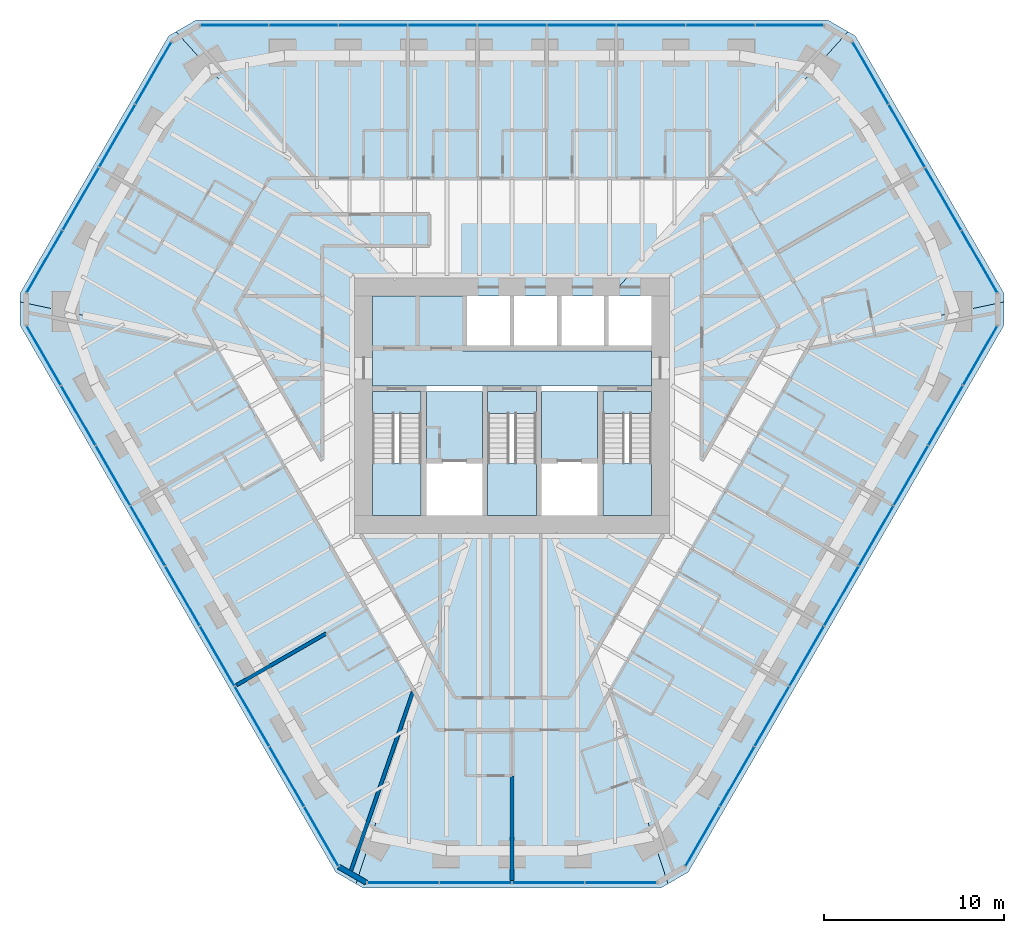
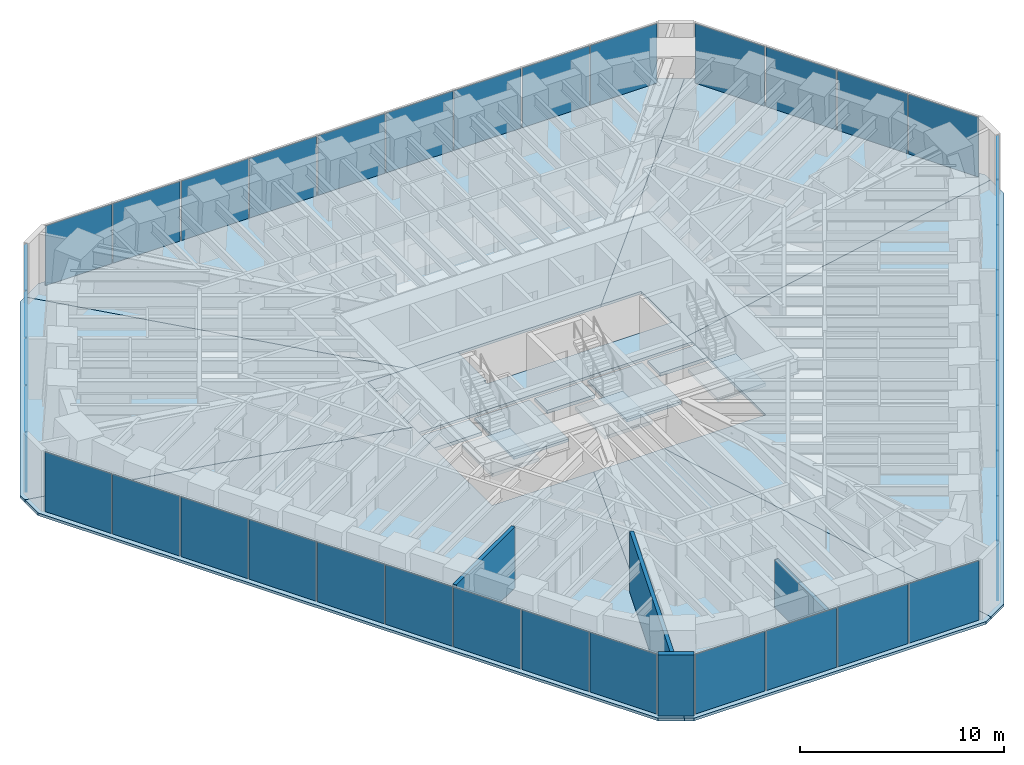
# One storey, part 10 of 17: 39 plates, 15 slabs, 4 walls, 9 elements without a shape of their own.
"""IFC4 building model written with IfcOpenShell, lengths in metres."""

from ifc_helpers import new_model, si_unit, direction, frame, frame_2d, origin, origin_2d, place, context, subcontext, project, spatial, polyline, rectangle, outline, extrude, material, layer, layer_set, type_object, element, aggregate, save


model = new_model("IFC4")

# Units and contexts
model_context = context("Model", 3, precision=1e-05, world=origin(), true_north=direction((0.0, 1.0)))
body_context = subcontext(model_context, "Body", "Model", "MODEL_VIEW")
ifc_project = project(units=[si_unit("LENGTHUNIT", "METRE"), si_unit("AREAUNIT", "SQUARE_METRE"), si_unit("VOLUMEUNIT", "CUBIC_METRE"), si_unit("PLANEANGLEUNIT", "RADIAN"), si_unit("MASSUNIT", "GRAM", prefix="KILO")], contexts=[model_context])

# Site, building, storey
site_placement = place(None, origin())
site = spatial("IfcSite", under=ifc_project, at=site_placement, CompositionType="ELEMENT")
building_placement = place(site_placement, origin())
building = spatial("IfcBuilding", under=site, at=building_placement, Name="Sandreach Pilgrim Tower", CompositionType="ELEMENT")
storey_placement = place(building_placement, frame((0.0, 0.0, 236.39990234375)))
storey = spatial("IfcBuildingStorey", under=building, at=storey_placement, Name="L59", CompositionType="ELEMENT", Elevation=236.39990234375)

# Curtain wall, plates
ifc_material_1 = material(Name="Aluminium framed curtain wall", Category="aluminium")
curtain_wall_type = type_object("IfcCurtainWallType", Name="Upper hotel tower curtain wall", PredefinedType="NOTDEFINED", material=ifc_material_1)
curtain_wall_1_placement = place(storey_placement, origin())
curtain_wall_1 = element("IfcCurtainWall", 1, at=curtain_wall_1_placement, inside=storey, type_object=curtain_wall_type, Name="CW-3 L59 N", PredefinedType="NOTDEFINED")
ifc_material_2 = material(Name="Insulating glass unit 12.76 laminated + 20 argon + 12.76 laminated", Category="glass")
ifc_layer_1 = layer(ifc_material_2, 0.0458984375)
ifc_layer_set_1 = layer_set([ifc_layer_1], Name="CW-3 panel")
plate_type = type_object("IfcPlateType", Name="CW-3 panel", PredefinedType="CURTAIN_PANEL", material=ifc_layer_set_1)
plate_1_placement = place(storey_placement, frame((-15.44140625, 21.16015625, 0.0), z_axis=(0.0, 0.0, 1.0), x_axis=(1.0, 0.0, 0.0)))
plate_1 = element("IfcPlate", 2, at=plate_1_placement, type_object=plate_type, Name="CW-3 panel 1", PredefinedType="CURTAIN_PANEL", context=body_context, shape_type="SweptSolid", body=[
    extrude(rectangle(XDim=3.766845703125, YDim=0.0458984375, at=origin_2d()), origin(), (0.0, 0.0, 1.0), 3.570068359375),
])
plate_2_placement = place(storey_placement, frame((-11.59326171875, 21.16015625, 0.0), z_axis=(0.0, 0.0, 1.0), x_axis=(1.0, 0.0, 0.0)))
plate_2 = element("IfcPlate", 3, at=plate_2_placement, type_object=plate_type, Name="CW-3 panel 2", PredefinedType="CURTAIN_PANEL", context=body_context, shape_type="SweptSolid", body=[
    extrude(rectangle(XDim=3.79931640625, YDim=0.0458984375, at=origin_2d()), origin(), (0.0, 0.0, 1.0), 3.570068359375),
])
plate_3_placement = place(storey_placement, frame((-7.728759765625, 21.16015625, 0.0), z_axis=(0.0, 0.0, 1.0), x_axis=(1.0, 0.0, 0.0)))
plate_3 = element("IfcPlate", 4, at=plate_3_placement, type_object=plate_type, Name="CW-3 panel 3", PredefinedType="CURTAIN_PANEL", context=body_context, shape_type="SweptSolid", body=[
    extrude(rectangle(XDim=3.79931640625, YDim=0.0458984375, at=origin_2d()), origin(), (0.0, 0.0, 1.0), 3.570068359375),
])
plate_4_placement = place(storey_placement, frame((-3.864501953125, 21.16015625, 0.0), z_axis=(0.0, 0.0, 1.0), x_axis=(1.0, 0.0, 0.0)))
plate_4 = element("IfcPlate", 5, at=plate_4_placement, type_object=plate_type, Name="CW-3 panel 4", PredefinedType="CURTAIN_PANEL", context=body_context, shape_type="SweptSolid", body=[
    extrude(rectangle(XDim=3.79931640625, YDim=0.0458984375, at=origin_2d()), origin(), (0.0, 0.0, 1.0), 3.570068359375),
])
plate_5_placement = place(storey_placement, frame((0.0, 21.16015625, 0.0), z_axis=(0.0, 0.0, 1.0), x_axis=(1.0, 0.0, 0.0)))
plate_5 = element("IfcPlate", 6, at=plate_5_placement, type_object=plate_type, Name="CW-3 panel 5", PredefinedType="CURTAIN_PANEL", context=body_context, shape_type="SweptSolid", body=[
    extrude(rectangle(XDim=3.79931640625, YDim=0.0458984375, at=origin_2d()), origin(), (0.0, 0.0, 1.0), 3.570068359375),
])
plate_6_placement = place(storey_placement, frame((3.864501953125, 21.16015625, 0.0), z_axis=(0.0, 0.0, 1.0), x_axis=(1.0, 0.0, 0.0)))
plate_6 = element("IfcPlate", 7, at=plate_6_placement, type_object=plate_type, Name="CW-3 panel 6", PredefinedType="CURTAIN_PANEL", context=body_context, shape_type="SweptSolid", body=[
    extrude(rectangle(XDim=3.79931640625, YDim=0.0458984375, at=origin_2d()), origin(), (0.0, 0.0, 1.0), 3.570068359375),
])
plate_7_placement = place(storey_placement, frame((7.728759765625, 21.16015625, 0.0), z_axis=(0.0, 0.0, 1.0), x_axis=(1.0, 0.0, 0.0)))
plate_7 = element("IfcPlate", 8, at=plate_7_placement, type_object=plate_type, Name="CW-3 panel 7", PredefinedType="CURTAIN_PANEL", context=body_context, shape_type="SweptSolid", body=[
    extrude(rectangle(XDim=3.79931640625, YDim=0.0458984375, at=origin_2d()), origin(), (0.0, 0.0, 1.0), 3.570068359375),
])
plate_8_placement = place(storey_placement, frame((11.59326171875, 21.16015625, 0.0), z_axis=(0.0, 0.0, 1.0), x_axis=(1.0, 0.0, 0.0)))
plate_8 = element("IfcPlate", 9, at=plate_8_placement, type_object=plate_type, Name="CW-3 panel 8", PredefinedType="CURTAIN_PANEL", context=body_context, shape_type="SweptSolid", body=[
    extrude(rectangle(XDim=3.79931640625, YDim=0.0458984375, at=origin_2d()), origin(), (0.0, 0.0, 1.0), 3.570068359375),
])
plate_9_placement = place(storey_placement, frame((15.44140625, 21.16015625, 0.0), z_axis=(0.0, 0.0, 1.0), x_axis=(1.0, 0.0, 0.0)))
plate_9 = element("IfcPlate", 10, at=plate_9_placement, type_object=plate_type, Name="CW-3 panel 9", PredefinedType="CURTAIN_PANEL", context=body_context, shape_type="SweptSolid", body=[
    extrude(rectangle(XDim=3.766845703125, YDim=0.0458984375, at=origin_2d()), origin(), (0.0, 0.0, 1.0), 3.570068359375),
])
aggregate(curtain_wall_1, [plate_1, plate_2, plate_3, plate_4, plate_5, plate_6, plate_7, plate_8, plate_9])

curtain_wall_2_placement = place(storey_placement, origin())
curtain_wall_2 = element("IfcCurtainWall", 11, at=curtain_wall_2_placement, inside=storey, type_object=curtain_wall_type, Name="CW-3 L59 NE", PredefinedType="NOTDEFINED")
plate_10_placement = place(storey_placement, frame((19.943115234375, 18.5078125, 0.0), z_axis=(0.0, 0.0, 1.0), x_axis=(0.5, -0.866025403784, 0.0)))
plate_10 = element("IfcPlate", 12, at=plate_10_placement, type_object=plate_type, Name="CW-3 panel 1", PredefinedType="CURTAIN_PANEL", context=body_context, shape_type="SweptSolid", body=[
    extrude(rectangle(XDim=3.951171875, YDim=0.0458984375, at=origin_2d()), origin(), (0.0, 0.0, 1.0), 3.570068359375),
])
plate_11_placement = place(storey_placement, frame((21.959228515625, 15.015625, 0.0), z_axis=(0.0, 0.0, 1.0), x_axis=(0.5, -0.866025403784, 0.0)))
plate_11 = element("IfcPlate", 13, at=plate_11_placement, type_object=plate_type, Name="CW-3 panel 2", PredefinedType="CURTAIN_PANEL", context=body_context, shape_type="SweptSolid", body=[
    extrude(rectangle(XDim=3.983642578125, YDim=0.0458984375, at=origin_2d()), origin(), (0.0, 0.0, 1.0), 3.570068359375),
])
plate_12_placement = place(storey_placement, frame((23.983642578125, 11.509521484375, 0.0), z_axis=(0.0, 0.0, 1.0), x_axis=(0.5, -0.866025403784, 0.0)))
plate_12 = element("IfcPlate", 14, at=plate_12_placement, type_object=plate_type, Name="CW-3 panel 3", PredefinedType="CURTAIN_PANEL", context=body_context, shape_type="SweptSolid", body=[
    extrude(rectangle(XDim=3.983642578125, YDim=0.0458984375, at=origin_2d()), origin(), (0.0, 0.0, 1.0), 3.570068359375),
])
plate_13_placement = place(storey_placement, frame((25.999755859375, 8.017333984375, 0.0), z_axis=(0.0, 0.0, 1.0), x_axis=(0.5, -0.866025403784, 0.0)))
plate_13 = element("IfcPlate", 15, at=plate_13_placement, type_object=plate_type, Name="CW-3 panel 4", PredefinedType="CURTAIN_PANEL", context=body_context, shape_type="SweptSolid", body=[
    extrude(rectangle(XDim=3.951171875, YDim=0.0458984375, at=origin_2d()), origin(), (0.0, 0.0, 1.0), 3.570068359375),
])
aggregate(curtain_wall_2, [plate_10, plate_11, plate_12, plate_13])

curtain_wall_3_placement = place(storey_placement, origin())
curtain_wall_3 = element("IfcCurtainWall", 16, at=curtain_wall_3_placement, inside=storey, type_object=curtain_wall_type, Name="CW-3 L59 SE", PredefinedType="NOTDEFINED")
plate_14_placement = place(storey_placement, frame((26.0458984375, 2.792724609375, 0.0), z_axis=(0.0, 0.0, 1.0), x_axis=(-0.5, -0.866025403784, 0.0)))
plate_14 = element("IfcPlate", 17, at=plate_14_placement, type_object=plate_type, Name="CW-3 panel 1", PredefinedType="CURTAIN_PANEL", context=body_context, shape_type="SweptSolid", body=[
    extrude(rectangle(XDim=3.766845703125, YDim=0.0458984375, at=origin_2d()), origin(), (0.0, 0.0, 1.0), 3.570068359375),
])
plate_15_placement = place(storey_placement, frame((24.121826171875, -0.5400390625, 0.0), z_axis=(0.0, 0.0, 1.0), x_axis=(-0.5, -0.866025403784, 0.0)))
plate_15 = element("IfcPlate", 18, at=plate_15_placement, type_object=plate_type, Name="CW-3 panel 2", PredefinedType="CURTAIN_PANEL", context=body_context, shape_type="SweptSolid", body=[
    extrude(rectangle(XDim=3.79931640625, YDim=0.0458984375, at=origin_2d()), origin(), (0.0, 0.0, 1.0), 3.570068359375),
])
plate_16_placement = place(storey_placement, frame((22.189697265625, -3.88671875, 0.0), z_axis=(0.0, 0.0, 1.0), x_axis=(-0.5, -0.866025403784, 0.0)))
plate_16 = element("IfcPlate", 19, at=plate_16_placement, type_object=plate_type, Name="CW-3 panel 3", PredefinedType="CURTAIN_PANEL", context=body_context, shape_type="SweptSolid", body=[
    extrude(rectangle(XDim=3.79931640625, YDim=0.0458984375, at=origin_2d()), origin(), (0.0, 0.0, 1.0), 3.570068359375),
])
plate_17_placement = place(storey_placement, frame((20.25732421875, -7.2333984375, 0.0), z_axis=(0.0, 0.0, 1.0), x_axis=(-0.5, -0.866025403784, 0.0)))
plate_17 = element("IfcPlate", 20, at=plate_17_placement, type_object=plate_type, Name="CW-3 panel 4", PredefinedType="CURTAIN_PANEL", context=body_context, shape_type="SweptSolid", body=[
    extrude(rectangle(XDim=3.79931640625, YDim=0.0458984375, at=origin_2d()), origin(), (0.0, 0.0, 1.0), 3.570068359375),
])
plate_18_placement = place(storey_placement, frame((18.3251953125, -10.580078125, 0.0), z_axis=(0.0, 0.0, 1.0), x_axis=(-0.5, -0.866025403784, 0.0)))
plate_18 = element("IfcPlate", 21, at=plate_18_placement, type_object=plate_type, Name="CW-3 panel 5", PredefinedType="CURTAIN_PANEL", context=body_context, shape_type="SweptSolid", body=[
    extrude(rectangle(XDim=3.79931640625, YDim=0.0458984375, at=origin_2d()), origin(), (0.0, 0.0, 1.0), 3.570068359375),
])
plate_19_placement = place(storey_placement, frame((16.39306640625, -13.9267578125, 0.0), z_axis=(0.0, 0.0, 1.0), x_axis=(-0.5, -0.866025403784, 0.0)))
plate_19 = element("IfcPlate", 22, at=plate_19_placement, type_object=plate_type, Name="CW-3 panel 6", PredefinedType="CURTAIN_PANEL", context=body_context, shape_type="SweptSolid", body=[
    extrude(rectangle(XDim=3.79931640625, YDim=0.0458984375, at=origin_2d()), origin(), (0.0, 0.0, 1.0), 3.570068359375),
])
plate_20_placement = place(storey_placement, frame((14.460693359375, -17.2734375, 0.0), z_axis=(0.0, 0.0, 1.0), x_axis=(-0.5, -0.866025403784, 0.0)))
plate_20 = element("IfcPlate", 23, at=plate_20_placement, type_object=plate_type, Name="CW-3 panel 7", PredefinedType="CURTAIN_PANEL", context=body_context, shape_type="SweptSolid", body=[
    extrude(rectangle(XDim=3.79931640625, YDim=0.0458984375, at=origin_2d()), origin(), (0.0, 0.0, 1.0), 3.570068359375),
])
plate_21_placement = place(storey_placement, frame((12.528564453125, -20.6201171875, 0.0), z_axis=(0.0, 0.0, 1.0), x_axis=(-0.5, -0.866025403784, 0.0)))
plate_21 = element("IfcPlate", 24, at=plate_21_placement, type_object=plate_type, Name="CW-3 panel 8", PredefinedType="CURTAIN_PANEL", context=body_context, shape_type="SweptSolid", body=[
    extrude(rectangle(XDim=3.79931640625, YDim=0.0458984375, at=origin_2d()), origin(), (0.0, 0.0, 1.0), 3.570068359375),
])
plate_22_placement = place(storey_placement, frame((10.6044921875, -23.95263671875, 0.0), z_axis=(0.0, 0.0, 1.0), x_axis=(-0.5, -0.866025403784, 0.0)))
plate_22 = element("IfcPlate", 25, at=plate_22_placement, type_object=plate_type, Name="CW-3 panel 9", PredefinedType="CURTAIN_PANEL", context=body_context, shape_type="SweptSolid", body=[
    extrude(rectangle(XDim=3.766845703125, YDim=0.0458984375, at=origin_2d()), origin(), (0.0, 0.0, 1.0), 3.570068359375),
])
aggregate(curtain_wall_3, [plate_14, plate_15, plate_16, plate_17, plate_18, plate_19, plate_20, plate_21, plate_22])

curtain_wall_4_placement = place(storey_placement, origin())
curtain_wall_4 = element("IfcCurtainWall", 26, at=curtain_wall_4_placement, inside=storey, type_object=curtain_wall_type, Name="CW-3 L59 S", PredefinedType="NOTDEFINED")
plate_23_placement = place(storey_placement, frame((6.056884765625, -26.525146484375, 0.0), z_axis=(0.0, 0.0, 1.0), x_axis=(-1.0, 0.0, 0.0)))
plate_23 = element("IfcPlate", 27, at=plate_23_placement, type_object=plate_type, Name="CW-3 panel 1", PredefinedType="CURTAIN_PANEL", context=body_context, shape_type="SweptSolid", body=[
    extrude(rectangle(XDim=3.951171875, YDim=0.0458984375, at=origin_2d()), origin(), (0.0, 0.0, 1.0), 3.570068359375),
])
plate_24_placement = place(storey_placement, frame((2.0244140625, -26.525146484375, 0.0), z_axis=(0.0, 0.0, 1.0), x_axis=(-1.0, 0.0, 0.0)))
plate_24 = element("IfcPlate", 28, at=plate_24_placement, type_object=plate_type, Name="CW-3 panel 2", PredefinedType="CURTAIN_PANEL", context=body_context, shape_type="SweptSolid", body=[
    extrude(rectangle(XDim=3.983642578125, YDim=0.0458984375, at=origin_2d()), origin(), (0.0, 0.0, 1.0), 3.570068359375),
])
plate_25_placement = place(storey_placement, frame((-2.0244140625, -26.525146484375, 0.0), z_axis=(0.0, 0.0, 1.0), x_axis=(-1.0, 0.0, 0.0)))
plate_25 = element("IfcPlate", 29, at=plate_25_placement, type_object=plate_type, Name="CW-3 panel 3", PredefinedType="CURTAIN_PANEL", context=body_context, shape_type="SweptSolid", body=[
    extrude(rectangle(XDim=3.983642578125, YDim=0.0458984375, at=origin_2d()), origin(), (0.0, 0.0, 1.0), 3.570068359375),
])
plate_26_placement = place(storey_placement, frame((-6.056884765625, -26.525146484375, 0.0), z_axis=(0.0, 0.0, 1.0), x_axis=(-1.0, 0.0, 0.0)))
plate_26 = element("IfcPlate", 30, at=plate_26_placement, type_object=plate_type, Name="CW-3 panel 4", PredefinedType="CURTAIN_PANEL", context=body_context, shape_type="SweptSolid", body=[
    extrude(rectangle(XDim=3.951171875, YDim=0.0458984375, at=origin_2d()), origin(), (0.0, 0.0, 1.0), 3.570068359375),
])
aggregate(curtain_wall_4, [plate_23, plate_24, plate_25, plate_26])

curtain_wall_5_placement = place(storey_placement, origin())
curtain_wall_5 = element("IfcCurtainWall", 31, at=curtain_wall_5_placement, inside=storey, type_object=curtain_wall_type, Name="CW-3 L59 SW", PredefinedType="NOTDEFINED")
plate_27_placement = place(storey_placement, frame((-10.6044921875, -23.95263671875, 0.0), z_axis=(0.0, 0.0, 1.0), x_axis=(-0.5, 0.866025403784, 0.0)))
plate_27 = element("IfcPlate", 32, at=plate_27_placement, type_object=plate_type, Name="CW-3 panel 1", PredefinedType="CURTAIN_PANEL", context=body_context, shape_type="SweptSolid", body=[
    extrude(rectangle(XDim=3.766845703125, YDim=0.0458984375, at=origin_2d()), origin(), (0.0, 0.0, 1.0), 3.570068359375),
])
plate_28_placement = place(storey_placement, frame((-12.528564453125, -20.6201171875, 0.0), z_axis=(0.0, 0.0, 1.0), x_axis=(-0.5, 0.866025403784, 0.0)))
plate_28 = element("IfcPlate", 33, at=plate_28_placement, type_object=plate_type, Name="CW-3 panel 2", PredefinedType="CURTAIN_PANEL", context=body_context, shape_type="SweptSolid", body=[
    extrude(rectangle(XDim=3.79931640625, YDim=0.0458984375, at=origin_2d()), origin(), (0.0, 0.0, 1.0), 3.570068359375),
])
plate_29_placement = place(storey_placement, frame((-14.460693359375, -17.2734375, 0.0), z_axis=(0.0, 0.0, 1.0), x_axis=(-0.5, 0.866025403784, 0.0)))
plate_29 = element("IfcPlate", 34, at=plate_29_placement, type_object=plate_type, Name="CW-3 panel 3", PredefinedType="CURTAIN_PANEL", context=body_context, shape_type="SweptSolid", body=[
    extrude(rectangle(XDim=3.79931640625, YDim=0.0458984375, at=origin_2d()), origin(), (0.0, 0.0, 1.0), 3.570068359375),
])
plate_30_placement = place(storey_placement, frame((-16.39306640625, -13.9267578125, 0.0), z_axis=(0.0, 0.0, 1.0), x_axis=(-0.5, 0.866025403784, 0.0)))
plate_30 = element("IfcPlate", 35, at=plate_30_placement, type_object=plate_type, Name="CW-3 panel 4", PredefinedType="CURTAIN_PANEL", context=body_context, shape_type="SweptSolid", body=[
    extrude(rectangle(XDim=3.79931640625, YDim=0.0458984375, at=origin_2d()), origin(), (0.0, 0.0, 1.0), 3.570068359375),
])
plate_31_placement = place(storey_placement, frame((-18.3251953125, -10.580078125, 0.0), z_axis=(0.0, 0.0, 1.0), x_axis=(-0.5, 0.866025403784, 0.0)))
plate_31 = element("IfcPlate", 36, at=plate_31_placement, type_object=plate_type, Name="CW-3 panel 5", PredefinedType="CURTAIN_PANEL", context=body_context, shape_type="SweptSolid", body=[
    extrude(rectangle(XDim=3.79931640625, YDim=0.0458984375, at=origin_2d()), origin(), (0.0, 0.0, 1.0), 3.570068359375),
])
plate_32_placement = place(storey_placement, frame((-20.25732421875, -7.2333984375, 0.0), z_axis=(0.0, 0.0, 1.0), x_axis=(-0.5, 0.866025403784, 0.0)))
plate_32 = element("IfcPlate", 37, at=plate_32_placement, type_object=plate_type, Name="CW-3 panel 6", PredefinedType="CURTAIN_PANEL", context=body_context, shape_type="SweptSolid", body=[
    extrude(rectangle(XDim=3.79931640625, YDim=0.0458984375, at=origin_2d()), origin(), (0.0, 0.0, 1.0), 3.570068359375),
])
plate_33_placement = place(storey_placement, frame((-22.189697265625, -3.88671875, 0.0), z_axis=(0.0, 0.0, 1.0), x_axis=(-0.5, 0.866025403784, 0.0)))
plate_33 = element("IfcPlate", 38, at=plate_33_placement, type_object=plate_type, Name="CW-3 panel 7", PredefinedType="CURTAIN_PANEL", context=body_context, shape_type="SweptSolid", body=[
    extrude(rectangle(XDim=3.79931640625, YDim=0.0458984375, at=origin_2d()), origin(), (0.0, 0.0, 1.0), 3.570068359375),
])
plate_34_placement = place(storey_placement, frame((-24.121826171875, -0.5400390625, 0.0), z_axis=(0.0, 0.0, 1.0), x_axis=(-0.5, 0.866025403784, 0.0)))
plate_34 = element("IfcPlate", 39, at=plate_34_placement, type_object=plate_type, Name="CW-3 panel 8", PredefinedType="CURTAIN_PANEL", context=body_context, shape_type="SweptSolid", body=[
    extrude(rectangle(XDim=3.79931640625, YDim=0.0458984375, at=origin_2d()), origin(), (0.0, 0.0, 1.0), 3.570068359375),
])
plate_35_placement = place(storey_placement, frame((-26.0458984375, 2.792724609375, 0.0), z_axis=(0.0, 0.0, 1.0), x_axis=(-0.5, 0.866025403784, 0.0)))
plate_35 = element("IfcPlate", 40, at=plate_35_placement, type_object=plate_type, Name="CW-3 panel 9", PredefinedType="CURTAIN_PANEL", context=body_context, shape_type="SweptSolid", body=[
    extrude(rectangle(XDim=3.766845703125, YDim=0.0458984375, at=origin_2d()), origin(), (0.0, 0.0, 1.0), 3.570068359375),
])
aggregate(curtain_wall_5, [plate_27, plate_28, plate_29, plate_30, plate_31, plate_32, plate_33, plate_34, plate_35])

curtain_wall_6_placement = place(storey_placement, origin())
curtain_wall_6 = element("IfcCurtainWall", 41, at=curtain_wall_6_placement, inside=storey, type_object=curtain_wall_type, Name="CW-3 L59 NW", PredefinedType="NOTDEFINED")
plate_36_placement = place(storey_placement, frame((-25.999755859375, 8.017333984375, 0.0), z_axis=(0.0, 0.0, 1.0), x_axis=(0.5, 0.866025403784, 0.0)))
plate_36 = element("IfcPlate", 42, at=plate_36_placement, type_object=plate_type, Name="CW-3 panel 1", PredefinedType="CURTAIN_PANEL", context=body_context, shape_type="SweptSolid", body=[
    extrude(rectangle(XDim=3.951171875, YDim=0.0458984375, at=origin_2d()), origin(), (0.0, 0.0, 1.0), 3.570068359375),
])
plate_37_placement = place(storey_placement, frame((-23.983642578125, 11.509521484375, 0.0), z_axis=(0.0, 0.0, 1.0), x_axis=(0.5, 0.866025403784, 0.0)))
plate_37 = element("IfcPlate", 43, at=plate_37_placement, type_object=plate_type, Name="CW-3 panel 2", PredefinedType="CURTAIN_PANEL", context=body_context, shape_type="SweptSolid", body=[
    extrude(rectangle(XDim=3.983642578125, YDim=0.0458984375, at=origin_2d()), origin(), (0.0, 0.0, 1.0), 3.570068359375),
])
plate_38_placement = place(storey_placement, frame((-21.959228515625, 15.015625, 0.0), z_axis=(0.0, 0.0, 1.0), x_axis=(0.5, 0.866025403784, 0.0)))
plate_38 = element("IfcPlate", 44, at=plate_38_placement, type_object=plate_type, Name="CW-3 panel 3", PredefinedType="CURTAIN_PANEL", context=body_context, shape_type="SweptSolid", body=[
    extrude(rectangle(XDim=3.983642578125, YDim=0.0458984375, at=origin_2d()), origin(), (0.0, 0.0, 1.0), 3.570068359375),
])
plate_39_placement = place(storey_placement, frame((-19.943115234375, 18.5078125, 0.0), z_axis=(0.0, 0.0, 1.0), x_axis=(0.5, 0.866025403784, 0.0)))
plate_39 = element("IfcPlate", 45, at=plate_39_placement, type_object=plate_type, Name="CW-3 panel 4", PredefinedType="CURTAIN_PANEL", context=body_context, shape_type="SweptSolid", body=[
    extrude(rectangle(XDim=3.951171875, YDim=0.0458984375, at=origin_2d()), origin(), (0.0, 0.0, 1.0), 3.570068359375),
])
aggregate(curtain_wall_6, [plate_36, plate_37, plate_38, plate_39])

# Slabs
ifc_material_3 = material(Name="Concrete 8000 psi", Category="concrete")
ifc_layer_2 = layer(ifc_material_3, 0.159912109375)
ifc_layer_set_2 = layer_set([ifc_layer_2], Name="Composite floor slab 160")
slab_type_1 = type_object("IfcSlabType", Name="Composite floor slab 160", PredefinedType="FLOOR", material=ifc_layer_set_2)
slab_1_placement = place(storey_placement, frame((0.0, 0.0, -0.159912109375)))
element("IfcSlab", 46, at=slab_1_placement, inside=storey, type_object=slab_type_1, Name="Floor slab L59 N sector", PredefinedType="FLOOR", context=body_context, shape_type="SweptSolid", body=[
    extrude(outline(polyline([(-17.56298828125, 21.460205078125), (17.56298828125, 21.460205078125), (18.68701171875, 20.81103515625), (5.477294921875, 6.10009765625), (-5.477294921875, 6.10009765625), (-18.68701171875, 20.81103515625), (-17.56298828125, 21.460205078125)])), origin(), (0.0, 0.0, 1.0), 0.159912109375),
])
slab_2_placement = place(storey_placement, frame((0.0, 0.0, -0.159912109375)))
element("IfcSlab", 47, at=slab_2_placement, inside=storey, type_object=slab_type_1, Name="Floor slab L59 NE sector", PredefinedType="FLOOR", context=body_context, shape_type="SweptSolid", body=[
    extrude(outline(polyline([(19.095947265625, 20.5751953125), (27.366455078125, 6.25), (27.366455078125, 5.778076171875), (7.75, 1.63623046875), (7.75, 6.10009765625), (5.477294921875, 6.10009765625), (18.68701171875, 20.81103515625), (19.095947265625, 20.5751953125)])), origin(), (0.0, 0.0, 1.0), 0.159912109375),
])
slab_3_placement = place(storey_placement, frame((0.0, 0.0, -0.159912109375)))
element("IfcSlab", 48, at=slab_3_placement, inside=storey, type_object=slab_type_1, Name="Floor slab L59 SE sector", PredefinedType="FLOOR", context=body_context, shape_type="SweptSolid", body=[
    extrude(outline(polyline([(27.366455078125, 4.47998046875), (9.803466796875, -25.940185546875), (8.679443359375, -26.589111328125), (1.9912109375, -6.10009765625), (7.75, -6.10009765625), (7.75, 1.63623046875), (27.366455078125, 5.778076171875), (27.366455078125, 4.47998046875)])), origin(), (0.0, 0.0, 1.0), 0.159912109375),
])
slab_4_placement = place(storey_placement, frame((0.0, 0.0, -0.159912109375)))
element("IfcSlab", 49, at=slab_4_placement, inside=storey, type_object=slab_type_1, Name="Floor slab L59 S sector", PredefinedType="FLOOR", context=body_context, shape_type="SweptSolid", body=[
    extrude(outline(polyline([(8.2705078125, -26.8251953125), (-8.2705078125, -26.8251953125), (-8.679443359375, -26.589111328125), (-1.9912109375, -6.10009765625), (1.9912109375, -6.10009765625), (8.679443359375, -26.589111328125), (8.2705078125, -26.8251953125)])), origin(), (0.0, 0.0, 1.0), 0.159912109375),
])
slab_5_placement = place(storey_placement, frame((0.0, 0.0, -0.159912109375)))
element("IfcSlab", 50, at=slab_5_placement, inside=storey, type_object=slab_type_1, Name="Floor slab L59 SW sector", PredefinedType="FLOOR", context=body_context, shape_type="SweptSolid", body=[
    extrude(outline(polyline([(-9.803466796875, -25.940185546875), (-27.366455078125, 4.47998046875), (-27.366455078125, 5.778076171875), (-7.75, 1.63623046875), (-7.75, -6.10009765625), (-1.9912109375, -6.10009765625), (-8.679443359375, -26.589111328125), (-9.803466796875, -25.940185546875)])), origin(), (0.0, 0.0, 1.0), 0.159912109375),
])
slab_6_placement = place(storey_placement, frame((0.0, 0.0, -0.159912109375)))
element("IfcSlab", 51, at=slab_6_placement, inside=storey, type_object=slab_type_1, Name="Floor slab L59 NW sector", PredefinedType="FLOOR", context=body_context, shape_type="SweptSolid", body=[
    extrude(outline(polyline([(-27.366455078125, 6.25), (-19.095947265625, 20.5751953125), (-18.68701171875, 20.81103515625), (-5.477294921875, 6.10009765625), (-7.75, 6.10009765625), (-7.75, 1.63623046875), (-27.366455078125, 5.778076171875), (-27.366455078125, 6.25)])), origin(), (0.0, 0.0, 1.0), 0.159912109375),
])
slab_7_placement = place(storey_placement, frame((0.0, 0.0, -0.159912109375)))
element("IfcSlab", 52, at=slab_7_placement, inside=storey, type_object=slab_type_1, Name="Core floor slab L59", PredefinedType="FLOOR", context=body_context, shape_type="SweptSolid", body=[
    extrude(outline(polyline([(-2.75, 3.35009765625), (-2.75, 3.050048828125), (-0.125, 3.050048828125), (0.125, 3.050048828125), (2.5, 3.050048828125), (2.75, 3.050048828125), (5.125, 3.050048828125), (5.375, 3.050048828125), (7.75, 3.050048828125), (7.75, 1.10009765625), (5.050048828125, 1.10009765625), (4.75, 1.10009765625), (1.64990234375, 1.10009765625), (1.35009765625, 1.10009765625), (-1.35009765625, 1.10009765625), (-1.64990234375, 1.10009765625), (-4.75, 1.10009765625), (-5.050048828125, 1.10009765625), (-7.75, 1.10009765625), (-7.75, 6.10009765625), (-2.64990234375, 6.10009765625), (-2.64990234375, 3.35009765625), (-2.75, 3.35009765625)])), origin(), (0.0, 0.0, 1.0), 0.159912109375),
])
slab_8_placement = place(storey_placement, frame((0.0, 0.0, -0.159912109375)))
element("IfcSlab", 53, at=slab_8_placement, inside=storey, type_object=slab_type_1, Name="Core floor slab L59 2", PredefinedType="FLOOR", context=body_context, shape_type="SweptSolid", body=[
    extrude(outline(polyline([(-1.64990234375, -3.050048828125), (-4.75, -3.050048828125), (-4.75, 0.800048828125), (-1.64990234375, 0.800048828125), (-1.64990234375, -3.050048828125)])), origin(), (0.0, 0.0, 1.0), 0.159912109375),
])
slab_9_placement = place(storey_placement, frame((0.0, 0.0, -0.159912109375)))
element("IfcSlab", 54, at=slab_9_placement, inside=storey, type_object=slab_type_1, Name="Core floor slab L59 3", PredefinedType="FLOOR", context=body_context, shape_type="SweptSolid", body=[
    extrude(outline(polyline([(4.75, -3.050048828125), (1.64990234375, -3.050048828125), (1.64990234375, 0.800048828125), (4.75, 0.800048828125), (4.75, -3.050048828125)])), origin(), (0.0, 0.0, 1.0), 0.159912109375),
])

# Stair, slabs
ifc_material_4 = material(Name="Concrete 8000 psi", Category="concrete")
stair_type = type_object("IfcStairType", Name="Core exit stair", PredefinedType="HALF_TURN_STAIR", material=ifc_material_4)
stair_1_placement = place(storey_placement, origin())
stair_1 = element("IfcStair", 55, at=stair_1_placement, inside=storey, type_object=stair_type, Name="Exit stair ST1 L59", PredefinedType="HALF_TURN_STAIR")
ifc_material_5 = material(Name="Concrete 8000 psi", Category="concrete")
ifc_layer_3 = layer(ifc_material_5, 0.199951171875)
ifc_layer_set_3 = layer_set([ifc_layer_3], Name="Core stair landing 200")
slab_type_2 = type_object("IfcSlabType", Name="Core stair landing 200", PredefinedType="LANDING", material=ifc_layer_set_3)
slab_10_placement = place(storey_placement, frame((0.0, 0.0, -0.199951171875)))
slab_10 = element("IfcSlab", 56, at=slab_10_placement, type_object=slab_type_2, Name="ST1 landing 1", PredefinedType="LANDING", context=body_context, shape_type="SweptSolid", body=[
    extrude(outline(polyline([(-7.75, -0.425048828125), (-5.050048828125, -0.425048828125), (-5.050048828125, 0.800048828125), (-7.75, 0.800048828125), (-7.75, -0.425048828125)])), origin(), (0.0, 0.0, 1.0), 0.199951171875),
])
slab_11_placement = place(storey_placement, frame((0.0, 0.0, 1.7001953125)))
slab_11 = element("IfcSlab", 57, at=slab_11_placement, type_object=slab_type_2, Name="ST1 landing 2", PredefinedType="LANDING", context=body_context, shape_type="SweptSolid", body=[
    extrude(outline(polyline([(-7.75, -6.10009765625), (-5.050048828125, -6.10009765625), (-5.050048828125, -3.175048828125), (-7.75, -3.175048828125), (-7.75, -6.10009765625)])), origin(), (0.0, 0.0, 1.0), 0.199951171875),
])
aggregate(stair_1, [slab_10, slab_11])

stair_2_placement = place(storey_placement, origin())
stair_2 = element("IfcStair", 58, at=stair_2_placement, inside=storey, type_object=stair_type, Name="Exit stair ST3 L59", PredefinedType="HALF_TURN_STAIR")
slab_12_placement = place(storey_placement, frame((0.0, 0.0, -0.199951171875)))
slab_12 = element("IfcSlab", 59, at=slab_12_placement, type_object=slab_type_2, Name="ST3 landing 1", PredefinedType="LANDING", context=body_context, shape_type="SweptSolid", body=[
    extrude(outline(polyline([(-1.35009765625, -0.425048828125), (1.35009765625, -0.425048828125), (1.35009765625, 0.800048828125), (-1.35009765625, 0.800048828125), (-1.35009765625, -0.425048828125)])), origin(), (0.0, 0.0, 1.0), 0.199951171875),
])
slab_13_placement = place(storey_placement, frame((0.0, 0.0, 1.7001953125)))
slab_13 = element("IfcSlab", 60, at=slab_13_placement, type_object=slab_type_2, Name="ST3 landing 2", PredefinedType="LANDING", context=body_context, shape_type="SweptSolid", body=[
    extrude(outline(polyline([(-1.35009765625, -6.10009765625), (1.35009765625, -6.10009765625), (1.35009765625, -3.175048828125), (-1.35009765625, -3.175048828125), (-1.35009765625, -6.10009765625)])), origin(), (0.0, 0.0, 1.0), 0.199951171875),
])
aggregate(stair_2, [slab_12, slab_13])

stair_3_placement = place(storey_placement, origin())
stair_3 = element("IfcStair", 61, at=stair_3_placement, inside=storey, type_object=stair_type, Name="Exit stair ST2 L59", PredefinedType="HALF_TURN_STAIR")
slab_14_placement = place(storey_placement, frame((0.0, 0.0, -0.199951171875)))
slab_14 = element("IfcSlab", 62, at=slab_14_placement, type_object=slab_type_2, Name="ST2 landing 1", PredefinedType="LANDING", context=body_context, shape_type="SweptSolid", body=[
    extrude(outline(polyline([(5.050048828125, -0.425048828125), (7.75, -0.425048828125), (7.75, 0.800048828125), (5.050048828125, 0.800048828125), (5.050048828125, -0.425048828125)])), origin(), (0.0, 0.0, 1.0), 0.199951171875),
])
slab_15_placement = place(storey_placement, frame((0.0, 0.0, 1.7001953125)))
slab_15 = element("IfcSlab", 63, at=slab_15_placement, type_object=slab_type_2, Name="ST2 landing 2", PredefinedType="LANDING", context=body_context, shape_type="SweptSolid", body=[
    extrude(outline(polyline([(5.050048828125, -6.10009765625), (7.75, -6.10009765625), (7.75, -3.175048828125), (5.050048828125, -3.175048828125), (5.050048828125, -6.10009765625)])), origin(), (0.0, 0.0, 1.0), 0.199951171875),
])
aggregate(stair_3, [slab_14, slab_15])

# Walls
ifc_material_6 = material(Name="Double steel stud acoustic wall, gypsum board", Category="steel")
ifc_layer_4 = layer(ifc_material_6, 0.199951171875)
ifc_layer_set_4 = layer_set([ifc_layer_4], Name="Party wall 200")
wall_type_1 = type_object("IfcWallType", Name="Party wall 200", PredefinedType="PARTITIONING", material=ifc_layer_set_4)
wall_1_placement = place(storey_placement, frame((-15.325927734375, -15.5400390625, 0.0), z_axis=(0.0, 0.0, 1.0), x_axis=(0.866342721203, 0.499449986905, 0.0)))
element("IfcWall", 64, at=wall_1_placement, inside=storey, type_object=wall_type_1, Name="Party wall L59-023", PredefinedType="PARTITIONING", context=body_context, shape_type="SweptSolid", body=[
    extrude(rectangle(XDim=5.7666015625, YDim=0.199951171875, at=frame_2d((2.88330078125, 0.0))), origin(), (0.0, 0.0, 1.0), 3.64013671875),
])
wall_2_placement = place(storey_placement, frame((-9.01025390625, -26.01171875, 0.0), z_axis=(0.0, 0.0, 1.0), x_axis=(0.327582991606, 0.944822408504, 0.0)))
element("IfcWall", 65, at=wall_2_placement, inside=storey, type_object=wall_type_1, Name="Party wall L59-044", PredefinedType="PARTITIONING", context=body_context, shape_type="SweptSolid", body=[
    extrude(rectangle(XDim=10.66650390625, YDim=0.199951171875, at=frame_2d((5.333251953125, 0.0))), origin(), (0.0, 0.0, 1.0), 3.64013671875),
])
wall_3_placement = place(storey_placement, frame((0.0, -26.409912109375, 0.0), z_axis=(0.0, 0.0, 1.0), x_axis=(0.0, 1.0, 0.0)))
element("IfcWall", 66, at=wall_3_placement, inside=storey, type_object=wall_type_1, Name="Party wall L59-072", PredefinedType="PARTITIONING", context=body_context, shape_type="SweptSolid", body=[
    extrude(rectangle(XDim=5.829833984375, YDim=0.199951171875, at=frame_2d((2.9150390625, 0.0))), origin(), (0.0, 0.0, 1.0), 2.8603515625),
])
ifc_material_7 = material(Name="Terracotta rainscreen on concrete", Category="masonry")
ifc_layer_5 = layer(ifc_material_7, 0.300048828125)
ifc_layer_set_5 = layer_set([ifc_layer_5], Name="Terracotta chamfer pier")
wall_type_2 = type_object("IfcWallType", Name="Terracotta chamfer pier", PredefinedType="SOLIDWALL", material=ifc_layer_set_5)
wall_4_placement = place(storey_placement, frame((-8.097412109375, -26.525146484375, 0.0), z_axis=(0.0, 0.0, 1.0), x_axis=(-0.866036293601, 0.499981137809, 0.0)))
element("IfcWall", 67, at=wall_4_placement, inside=storey, type_object=wall_type_2, Name="Chamfer pier L59 S", PredefinedType="SOLIDWALL", context=body_context, shape_type="SweptSolid", body=[
    extrude(rectangle(XDim=1.77001953125, YDim=0.300048828125, at=frame_2d((0.885009765625, 0.0))), origin(), (0.0, 0.0, 1.0), 3.64013671875),
])

save(model, "model.ifc")
